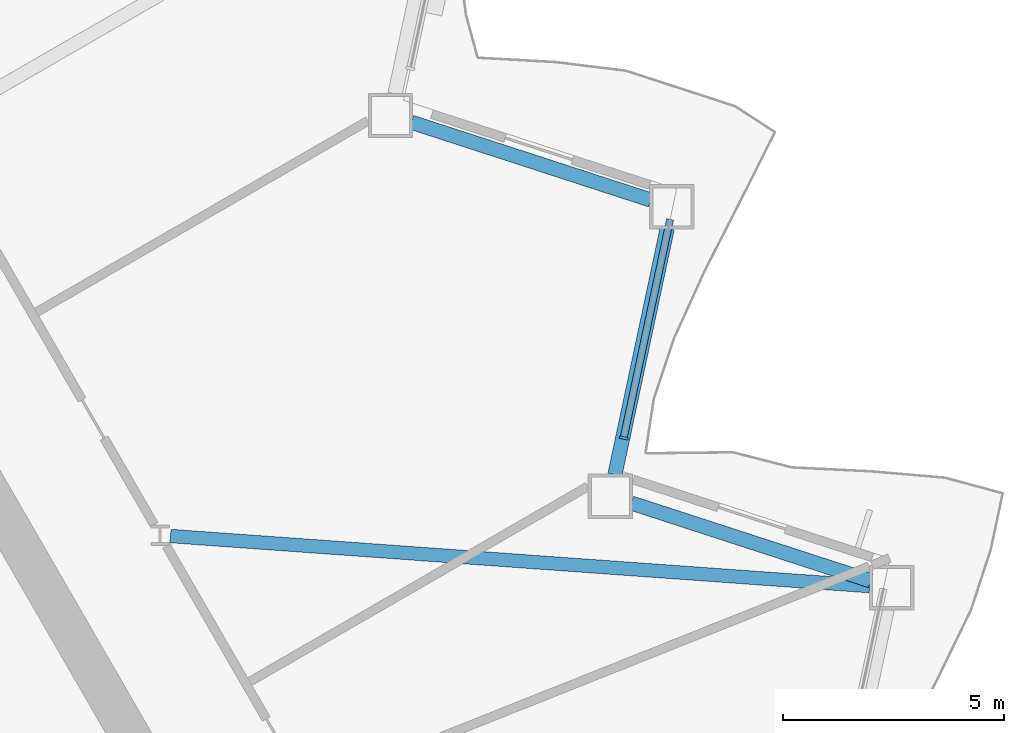
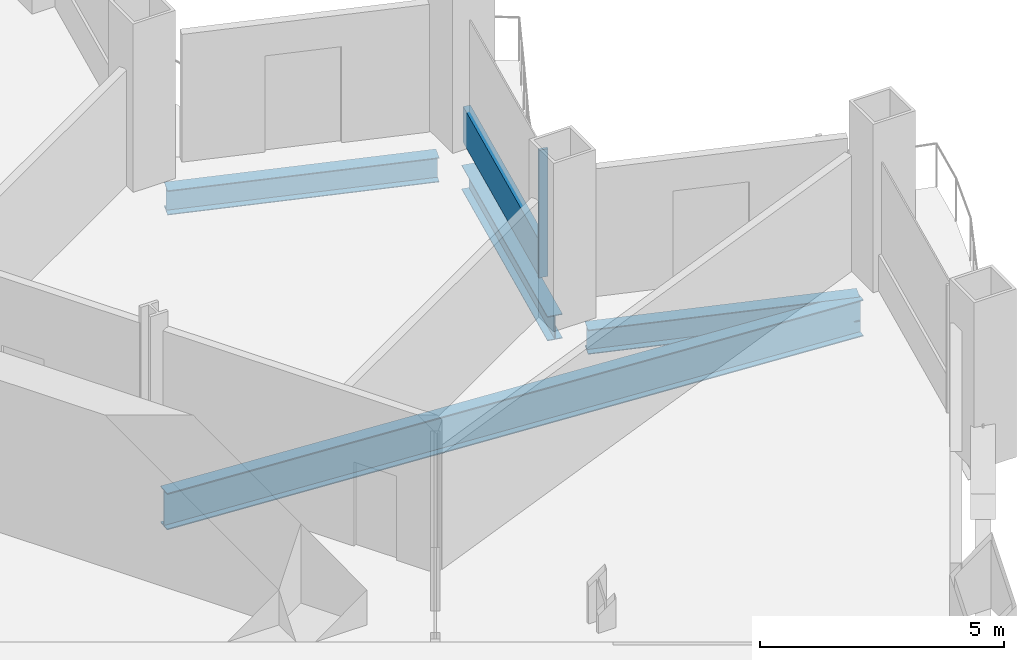
# One storey, part 5 of 20: 4 beams, 2 members, 1 element without a shape of its own.
"""IFC4 building model written with IfcOpenShell, lengths in metres."""

from ifc_helpers import new_model, si_unit, direction, frame, origin, origin_2d, place, context, subcontext, project, spatial, rectangle, i_section, extrude, material, layer, layer_set, material_profile, profile_set, type_object, element, aggregate, save


model = new_model("IFC4")

# Units and contexts
model_context = context("Model", 3, precision=1e-05, world=origin(), true_north=direction((0.0, 1.0)))
body_context = subcontext(model_context, "Body", "Model", "MODEL_VIEW")
ifc_project = project(units=[si_unit("LENGTHUNIT", "METRE"), si_unit("AREAUNIT", "SQUARE_METRE"), si_unit("VOLUMEUNIT", "CUBIC_METRE"), si_unit("PLANEANGLEUNIT", "RADIAN"), si_unit("MASSUNIT", "GRAM", prefix="KILO")], contexts=[model_context])

# Site, building, storey
site_placement = place(None, origin())
site = spatial("IfcSite", under=ifc_project, at=site_placement, CompositionType="ELEMENT")
building_placement = place(site_placement, origin())
building = spatial("IfcBuilding", under=site, at=building_placement, Name="Cormorant Prow Tower", CompositionType="ELEMENT")
storey_placement = place(building_placement, frame((0.0, 0.0, 34.199951171875)))
storey = spatial("IfcBuildingStorey", under=building, at=storey_placement, Name="L06", CompositionType="ELEMENT", Elevation=34.199951171875)

# Curtain wall, members
ifc_material_1 = material(Name="Aluminium 6063-T6", Category="aluminium")
ifc_layer = layer(ifc_material_1, 0.199951171875)
ifc_layer_set = layer_set([ifc_layer], Name="Aluminium 6063-T6")
curtain_wall_type = type_object("IfcCurtainWallType", Name="Office unitised curtain wall 200", PredefinedType="NOTDEFINED", material=ifc_layer_set)
curtain_wall_placement = place(storey_placement, origin())
curtain_wall = element("IfcCurtainWall", 1, at=curtain_wall_placement, inside=storey, type_object=curtain_wall_type, Name="Office curtain wall ENE02", PredefinedType="NOTDEFINED")
ifc_material_2 = material(Name="Aluminium 6063-T6", Category="aluminium")
ifc_material_profile_1 = material_profile(ifc_material_2, rectangle(XDim=0.199951171875, YDim=0.06005859375, at=origin_2d()), Name="Office mullion 60x200")
ifc_profile_set_1 = profile_set([ifc_material_profile_1], Name="Aluminium 6063-T6")
member_type_1 = type_object("IfcMemberType", Name="Office mullion 60x200", PredefinedType="MULLION", material=ifc_profile_set_1)
member_1_placement = place(storey_placement, frame((26.3349609375, -0.85498046875, 0.0), z_axis=(0.0, 0.0, 1.0), x_axis=(-0.978147617041, 0.207911614097, 0.0)))
member_1 = element("IfcMember", 2, at=member_1_placement, type_object=member_type_1, Name="Office mullion ENE02", PredefinedType="MULLION", context=body_context, shape_type="SweptSolid", body=[
    extrude(rectangle(XDim=0.199951171875, YDim=0.06005859375, at=origin_2d()), origin(), (0.0, 0.0, 1.0), 3.18896484375),
])
ifc_material_3 = material(Name="Terracotta", Category="masonry")
ifc_material_profile_2 = material_profile(ifc_material_3, rectangle(XDim=0.159912109375, YDim=0.89990234375, at=origin_2d()), Name="Office terracotta spandrel rail 160x900")
ifc_profile_set_2 = profile_set([ifc_material_profile_2], Name="Terracotta")
member_type_2 = type_object("IfcMemberType", Name="Office terracotta spandrel rail 160x900", PredefinedType="USERDEFINED", material=ifc_profile_set_2)
member_2_placement = place(storey_placement, frame((26.341064453125, -0.82568359375, 0.449951171875), z_axis=(0.20790357337, 0.978149326115, 0.0), x_axis=(-0.978149326115, 0.20790357337, 0.0)))
member_2 = element("IfcMember", 3, at=member_2_placement, type_object=member_type_2, Name="Office spandrel rail ENE02", ObjectType="TRANSOM", PredefinedType="USERDEFINED", context=body_context, shape_type="SweptSolid", body=[
    extrude(rectangle(XDim=0.159912109375, YDim=0.89990234375, at=origin_2d()), origin(), (0.0, 0.0, 1.0), 5.0166015625),
])
aggregate(curtain_wall, [member_1, member_2])

# Beams
ifc_material_4 = material(Name="Structural steel ASTM A992 Gr 50", Category="steel")
ifc_material_profile_3 = material_profile(ifc_material_4, i_section(OverallWidth=0.3046875, OverallDepth=0.914794921875, WebThickness=0.0166015625, FlangeThickness=0.02587890625, at=origin_2d()), Name="W36x160")
ifc_profile_set_3 = profile_set([ifc_material_profile_3], Name="Structural steel ASTM A992 Gr 50")
beam_type_1 = type_object("IfcBeamType", Name="Radial floor beam W36x160", PredefinedType="BEAM", material=ifc_profile_set_3)
beam_1_placement = place(storey_placement, frame((16.099365234375, -3.0703125, -0.857421875), z_axis=(0.997443412532, -0.071460750045, 0.0), x_axis=(0.071460750045, 0.997443412532, 0.0)))
element("IfcBeam", 4, at=beam_1_placement, inside=storey, type_object=beam_type_1, Name="Radial floor beam FB1 10 L06", PredefinedType="BEAM", context=body_context, shape_type="SweptSolid", body=[
    extrude(i_section(OverallWidth=0.3046875, OverallDepth=0.914794921875, WebThickness=0.0166015625, FlangeThickness=0.02587890625, at=origin_2d()), origin(), (0.0, 0.0, 1.0), 15.831787109375),
])
ifc_material_5 = material(Name="Structural steel ASTM A992 Gr 50", Category="steel")
ifc_material_profile_4 = material_profile(ifc_material_5, i_section(OverallWidth=0.32373046875, OverallDepth=0.611083984375, WebThickness=0.0126953125, FlangeThickness=0.01904296875, at=origin_2d()), Name="W24x104")
ifc_profile_set_4 = profile_set([ifc_material_profile_4], Name="Structural steel ASTM A992 Gr 50")
beam_type_2 = type_object("IfcBeamType", Name="Spandrel beam W24x104", PredefinedType="SPANDREL", material=ifc_profile_set_4)
beam_2_placement = place(storey_placement, frame((31.913818359375, -4.082763671875, -0.70556640625), z_axis=(-0.951049222751, 0.309039440696, 0.0), x_axis=(-0.309039440696, -0.951049222751, 0.0)))
element("IfcBeam", 5, at=beam_2_placement, inside=storey, type_object=beam_type_2, Name="Spandrel beam SB1 ENE01-ENE02 L06", PredefinedType="SPANDREL", context=body_context, shape_type="SweptSolid", body=[
    extrude(i_section(OverallWidth=0.32373046875, OverallDepth=0.611083984375, WebThickness=0.0126953125, FlangeThickness=0.01904296875, at=origin_2d()), origin(), (0.0, 0.0, 1.0), 5.682373046875),
])
beam_3_placement = place(storey_placement, frame((26.137939453125, -1.68310546875, -0.70556640625), z_axis=(0.207900376723, 0.97815000555, 0.0), x_axis=(-0.97815000555, 0.207900376723, 0.0)))
element("IfcBeam", 6, at=beam_3_placement, inside=storey, type_object=beam_type_2, Name="Spandrel beam SB1 ENE02-ENE03 L06", PredefinedType="SPANDREL", context=body_context, shape_type="SweptSolid", body=[
    extrude(i_section(OverallWidth=0.32373046875, OverallDepth=0.611083984375, WebThickness=0.0126953125, FlangeThickness=0.01904296875, at=origin_2d()), origin(), (0.0, 0.0, 1.0), 5.6826171875),
])
beam_4_placement = place(storey_placement, frame((26.94775390625, 4.518798828125, -0.70556640625), z_axis=(-0.951061849722, 0.309000579292, 0.0), x_axis=(-0.309000579292, -0.951061849722, 0.0)))
element("IfcBeam", 7, at=beam_4_placement, inside=storey, type_object=beam_type_2, Name="Spandrel beam SB1 ENE03-ENE04 L06", PredefinedType="SPANDREL", context=body_context, shape_type="SweptSolid", body=[
    extrude(i_section(OverallWidth=0.32373046875, OverallDepth=0.611083984375, WebThickness=0.0126953125, FlangeThickness=0.01904296875, at=origin_2d()), origin(), (0.0, 0.0, 1.0), 5.682373046875),
])

save(model, "model.ifc")
